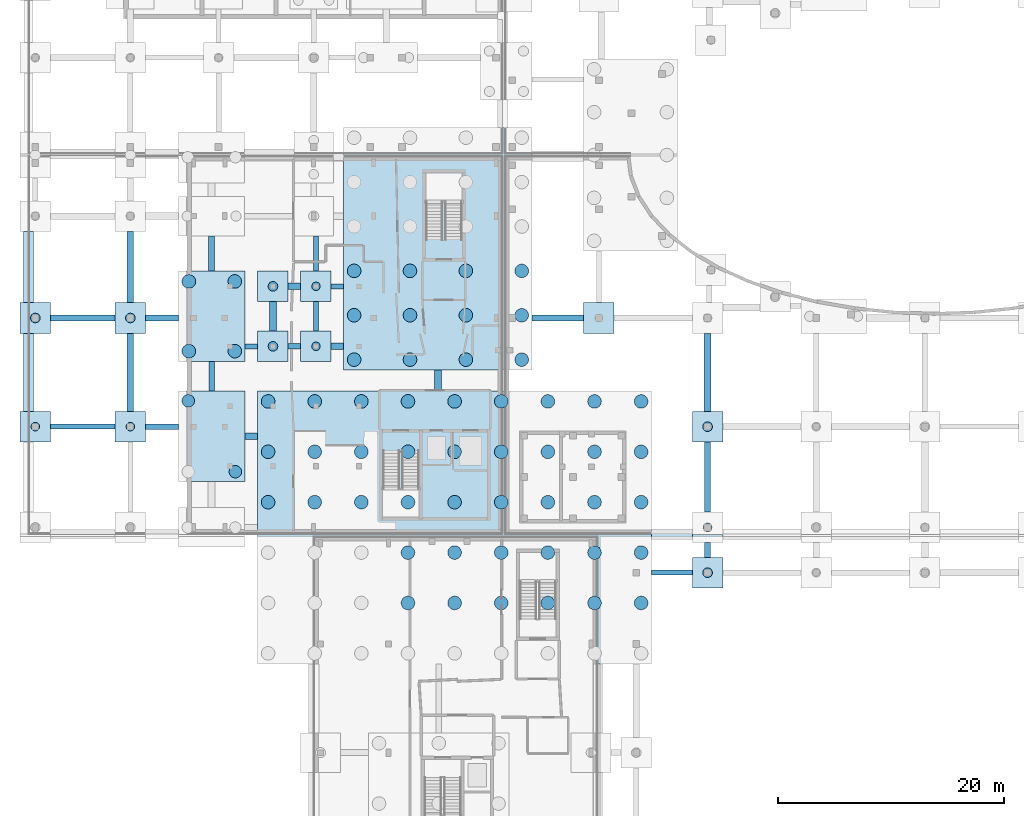
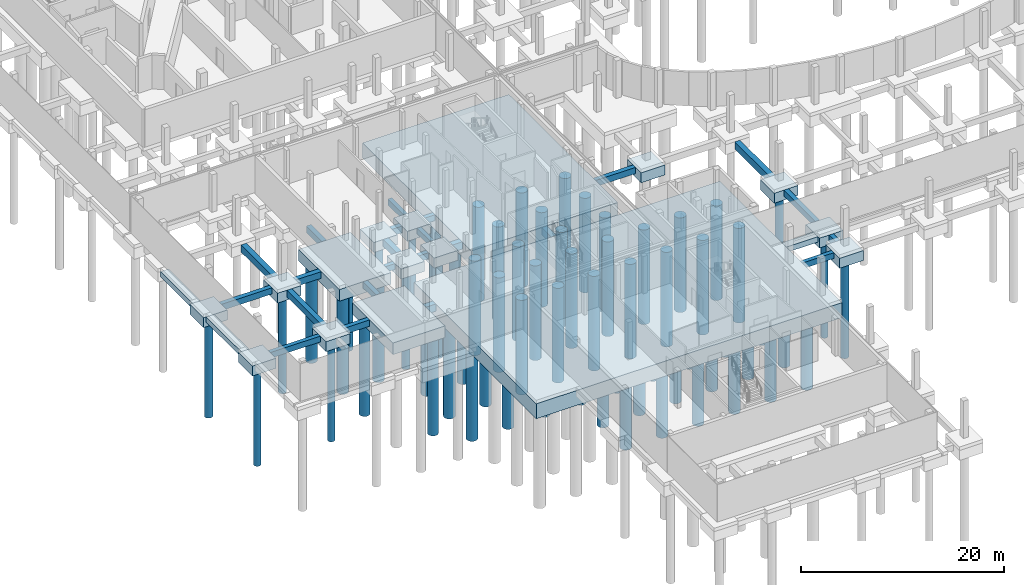
# One storey, part 2 of 40: 68 piles, 42 footings.
"""IFC4 building model written with IfcOpenShell, lengths in metres."""

from ifc_helpers import new_model, si_unit, direction, frame, origin, origin_2d, place, context, subcontext, project, spatial, polyline, circle, outline, extrude, material, material_profile, profile_set, type_object, element, save


model = new_model("IFC4")

# Units and contexts
model_context = context("Model", 3, precision=1e-05, world=origin(), true_north=direction((0.0, 1.0)))
body_context = subcontext(model_context, "Body", "Model", "MODEL_VIEW")
ifc_project = project(units=[si_unit("LENGTHUNIT", "METRE"), si_unit("AREAUNIT", "SQUARE_METRE"), si_unit("VOLUMEUNIT", "CUBIC_METRE"), si_unit("PLANEANGLEUNIT", "RADIAN"), si_unit("MASSUNIT", "GRAM", prefix="KILO")], contexts=[model_context])

# Site, building, storey
site_placement = place(None, origin())
site = spatial("IfcSite", under=ifc_project, at=site_placement, CompositionType="ELEMENT")
building_placement = place(site_placement, origin())
building = spatial("IfcBuilding", under=site, at=building_placement, Name="Mzevani Central Library", CompositionType="ELEMENT")
storey_placement = place(building_placement, frame((0.0, 0.0, -4.5)))
storey = spatial("IfcBuildingStorey", under=building, at=storey_placement, Name="B1", CompositionType="ELEMENT", Elevation=-4.5)

# Piles
ifc_material = material(Name="Concrete C40/50", Category="concrete")
ifc_material_profile_1 = material_profile(ifc_material, circle(Radius=0.550048828125, at=origin_2d()), Name="PILE D1100")
ifc_profile_set_1 = profile_set([ifc_material_profile_1], Name="Concrete C40/50")
pile_type_1 = type_object("IfcPileType", Name="Bored Pile D1100", PredefinedType="BORED", material=ifc_profile_set_1)
for number, where, z_axis, x_axis, name in (
    (1, (18.1201171875, 54.280029296875, -1.719970703125), (0.0, 0.0, -1.0), (1.0, 0.0, 0.0), "B1 Bored Pile P-05 (305)"),
    (2, (22.280029296875, 48.02001953125, -1.719970703125), (0.0, 0.0, -1.0), (1.0, 0.0, 0.0), "B1 Bored Pile P-05 (306)"),
):
    element("IfcPile", number, at=place(storey_placement, frame(where, z_axis=z_axis, x_axis=x_axis)), inside=storey, type_object=pile_type_1, Name=name, PredefinedType="BORED", context=body_context, shape_type="SweptSolid", body=[
        extrude(circle(Radius=0.550048828125, at=origin_2d()), origin(), (0.0, 0.0, 1.0), 11.780029296875),
    ])
ifc_material_profile_2 = material_profile(ifc_material, circle(Radius=0.60009765625, at=origin_2d()), Name="PILE D1200")
ifc_profile_set_2 = profile_set([ifc_material_profile_2], Name="Concrete C40/50")
pile_type_2 = type_object("IfcPileType", Name="Bored Pile D1200", PredefinedType="BORED", material=ifc_profile_set_2)
for number, where, z_axis, x_axis, name in (
    (3, (32.77001953125, 57.919921875, -2.1201171875), (0.0, 0.0, -1.0), (1.0, 0.0, 0.0), "B1 Bored Pile P-06 (1)"),
    (4, (32.77001953125, 61.842041015625, -2.1201171875), (0.0, 0.0, -1.0), (1.0, 0.0, 0.0), "B1 Bored Pile P-06 (2)"),
    (5, (32.77001953125, 65.763916015625, -2.1201171875), (0.0, 0.0, -1.0), (1.0, 0.0, 0.0), "B1 Bored Pile P-06 (3)"),
    (6, (37.706787109375, 57.919921875, -2.1201171875), (0.0, 0.0, -1.0), (1.0, 0.0, 0.0), "B1 Bored Pile P-06 (7)"),
    (7, (37.706787109375, 61.842041015625, -2.1201171875), (0.0, 0.0, -1.0), (1.0, 0.0, 0.0), "B1 Bored Pile P-06 (8)"),
    (8, (37.706787109375, 65.763916015625, -2.1201171875), (0.0, 0.0, -1.0), (1.0, 0.0, 0.0), "B1 Bored Pile P-06 (9)"),
    (9, (42.643310546875, 57.919921875, -2.1201171875), (0.0, 0.0, -1.0), (1.0, 0.0, 0.0), "B1 Bored Pile P-06 (13)"),
    (10, (42.643310546875, 61.842041015625, -2.1201171875), (0.0, 0.0, -1.0), (1.0, 0.0, 0.0), "B1 Bored Pile P-06 (14)"),
    (11, (42.643310546875, 65.763916015625, -2.1201171875), (0.0, 0.0, -1.0), (1.0, 0.0, 0.0), "B1 Bored Pile P-06 (15)"),
    (12, (47.580078125, 57.919921875, -2.1201171875), (0.0, 0.0, -1.0), (1.0, 0.0, 0.0), "B1 Bored Pile P-06 (19)"),
    (13, (47.580078125, 61.842041015625, -2.1201171875), (0.0, 0.0, -1.0), (1.0, 0.0, 0.0), "B1 Bored Pile P-06 (20)"),
    (14, (47.580078125, 65.763916015625, -2.1201171875), (0.0, 0.0, -1.0), (1.0, 0.0, 0.0), "B1 Bored Pile P-06 (21)"),
    (15, (25.169921875, 45.325927734375, -2.1201171875), (0.0, 0.0, -1.0), (1.0, 0.0, 0.0), "B1 Bored Pile P-06 (229)"),
    (16, (25.169921875, 49.778076171875, -2.1201171875), (0.0, 0.0, -1.0), (1.0, 0.0, 0.0), "B1 Bored Pile P-06 (230)"),
    (17, (25.169921875, 54.22998046875, -2.1201171875), (0.0, 0.0, -1.0), (1.0, 0.0, 0.0), "B1 Bored Pile P-06 (231)"),
    (18, (29.2900390625, 45.325927734375, -2.1201171875), (0.0, 0.0, -1.0), (1.0, 0.0, 0.0), "B1 Bored Pile P-06 (235)"),
    (19, (29.2900390625, 49.778076171875, -2.1201171875), (0.0, 0.0, -1.0), (1.0, 0.0, 0.0), "B1 Bored Pile P-06 (236)"),
    (20, (29.2900390625, 54.22998046875, -2.1201171875), (0.0, 0.0, -1.0), (1.0, 0.0, 0.0), "B1 Bored Pile P-06 (237)"),
    (21, (33.409912109375, 45.325927734375, -2.1201171875), (0.0, 0.0, -1.0), (1.0, 0.0, 0.0), "B1 Bored Pile P-06 (241)"),
    (22, (33.409912109375, 49.778076171875, -2.1201171875), (0.0, 0.0, -1.0), (1.0, 0.0, 0.0), "B1 Bored Pile P-06 (242)"),
    (23, (33.409912109375, 54.22998046875, -2.1201171875), (0.0, 0.0, -1.0), (1.0, 0.0, 0.0), "B1 Bored Pile P-06 (243)"),
    (24, (37.530029296875, 36.422119140625, -2.1201171875), (0.0, 0.0, -1.0), (1.0, 0.0, 0.0), "B1 Bored Pile P-06 (245)"),
    (25, (37.530029296875, 40.8740234375, -2.1201171875), (0.0, 0.0, -1.0), (1.0, 0.0, 0.0), "B1 Bored Pile P-06 (246)"),
    (26, (37.530029296875, 45.325927734375, -2.1201171875), (0.0, 0.0, -1.0), (1.0, 0.0, 0.0), "B1 Bored Pile P-06 (247)"),
    (27, (37.530029296875, 49.778076171875, -2.1201171875), (0.0, 0.0, -1.0), (1.0, 0.0, 0.0), "B1 Bored Pile P-06 (248)"),
    (28, (37.530029296875, 54.22998046875, -2.1201171875), (0.0, 0.0, -1.0), (1.0, 0.0, 0.0), "B1 Bored Pile P-06 (249)"),
    (29, (41.64990234375, 36.422119140625, -2.1201171875), (0.0, 0.0, -1.0), (1.0, 0.0, 0.0), "B1 Bored Pile P-06 (251)"),
    (30, (41.64990234375, 40.8740234375, -2.1201171875), (0.0, 0.0, -1.0), (1.0, 0.0, 0.0), "B1 Bored Pile P-06 (252)"),
    (31, (41.64990234375, 45.325927734375, -2.1201171875), (0.0, 0.0, -1.0), (1.0, 0.0, 0.0), "B1 Bored Pile P-06 (253)"),
    (32, (41.64990234375, 49.778076171875, -2.1201171875), (0.0, 0.0, -1.0), (1.0, 0.0, 0.0), "B1 Bored Pile P-06 (254)"),
    (33, (41.64990234375, 54.22998046875, -2.1201171875), (0.0, 0.0, -1.0), (1.0, 0.0, 0.0), "B1 Bored Pile P-06 (255)"),
    (34, (45.77001953125, 36.422119140625, -2.1201171875), (0.0, 0.0, -1.0), (1.0, 0.0, 0.0), "B1 Bored Pile P-06 (257)"),
    (35, (45.77001953125, 40.8740234375, -2.1201171875), (0.0, 0.0, -1.0), (1.0, 0.0, 0.0), "B1 Bored Pile P-06 (258)"),
    (36, (45.77001953125, 45.325927734375, -2.1201171875), (0.0, 0.0, -1.0), (1.0, 0.0, 0.0), "B1 Bored Pile P-06 (259)"),
    (37, (45.77001953125, 49.778076171875, -2.1201171875), (0.0, 0.0, -1.0), (1.0, 0.0, 0.0), "B1 Bored Pile P-06 (260)"),
    (38, (45.77001953125, 54.22998046875, -2.1201171875), (0.0, 0.0, -1.0), (1.0, 0.0, 0.0), "B1 Bored Pile P-06 (261)"),
    (39, (49.889892578125, 36.422119140625, -2.1201171875), (0.0, 0.0, -1.0), (1.0, 0.0, 0.0), "B1 Bored Pile P-06 (263)"),
    (40, (49.889892578125, 40.8740234375, -2.1201171875), (0.0, 0.0, -1.0), (1.0, 0.0, 0.0), "B1 Bored Pile P-06 (264)"),
    (41, (49.889892578125, 45.325927734375, -2.1201171875), (0.0, 0.0, -1.0), (1.0, 0.0, 0.0), "B1 Bored Pile P-06 (265)"),
    (42, (49.889892578125, 49.778076171875, -2.1201171875), (0.0, 0.0, -1.0), (1.0, 0.0, 0.0), "B1 Bored Pile P-06 (266)"),
    (43, (49.889892578125, 54.22998046875, -2.1201171875), (0.0, 0.0, -1.0), (1.0, 0.0, 0.0), "B1 Bored Pile P-06 (267)"),
    (44, (54.010009765625, 36.422119140625, -2.1201171875), (0.0, 0.0, -1.0), (1.0, 0.0, 0.0), "B1 Bored Pile P-06 (269)"),
    (45, (54.010009765625, 40.8740234375, -2.1201171875), (0.0, 0.0, -1.0), (1.0, 0.0, 0.0), "B1 Bored Pile P-06 (270)"),
    (46, (54.010009765625, 45.325927734375, -2.1201171875), (0.0, 0.0, -1.0), (1.0, 0.0, 0.0), "B1 Bored Pile P-06 (271)"),
    (47, (54.010009765625, 49.778076171875, -2.1201171875), (0.0, 0.0, -1.0), (1.0, 0.0, 0.0), "B1 Bored Pile P-06 (272)"),
    (48, (54.010009765625, 54.22998046875, -2.1201171875), (0.0, 0.0, -1.0), (1.0, 0.0, 0.0), "B1 Bored Pile P-06 (273)"),
    (49, (58.1298828125, 36.422119140625, -2.1201171875), (0.0, 0.0, -1.0), (1.0, 0.0, 0.0), "B1 Bored Pile P-06 (275)"),
    (50, (58.1298828125, 40.8740234375, -2.1201171875), (0.0, 0.0, -1.0), (1.0, 0.0, 0.0), "B1 Bored Pile P-06 (276)"),
    (51, (58.1298828125, 45.325927734375, -2.1201171875), (0.0, 0.0, -1.0), (1.0, 0.0, 0.0), "B1 Bored Pile P-06 (277)"),
    (52, (58.1298828125, 49.778076171875, -2.1201171875), (0.0, 0.0, -1.0), (1.0, 0.0, 0.0), "B1 Bored Pile P-06 (278)"),
    (53, (58.1298828125, 54.22998046875, -2.1201171875), (0.0, 0.0, -1.0), (1.0, 0.0, 0.0), "B1 Bored Pile P-06 (279)"),
):
    element("IfcPile", number, at=place(storey_placement, frame(where, z_axis=z_axis, x_axis=x_axis)), inside=storey, type_object=pile_type_2, Name=name, PredefinedType="BORED", context=body_context, shape_type="SweptSolid", body=[
        extrude(circle(Radius=0.60009765625, at=origin_2d()), origin(), (0.0, 0.0, 1.0), 11.3798828125),
    ])
for number, where, z_axis, x_axis, name in (
    (54, (18.169921875, 58.669921875, -1.719970703125), (0.0, 0.0, -1.0), (1.0, 0.0, 0.0), "B1 Bored Pile P-06 (307)"),
    (55, (18.169921875, 64.830078125, -1.719970703125), (0.0, 0.0, -1.0), (1.0, 0.0, 0.0), "B1 Bored Pile P-06 (308)"),
    (56, (22.22998046875, 58.669921875, -1.719970703125), (0.0, 0.0, -1.0), (1.0, 0.0, 0.0), "B1 Bored Pile P-06 (309)"),
    (57, (22.22998046875, 64.830078125, -1.719970703125), (0.0, 0.0, -1.0), (1.0, 0.0, 0.0), "B1 Bored Pile P-06 (310)"),
):
    element("IfcPile", number, at=place(storey_placement, frame(where, z_axis=z_axis, x_axis=x_axis)), inside=storey, type_object=pile_type_2, Name=name, PredefinedType="BORED", context=body_context, shape_type="SweptSolid", body=[
        extrude(circle(Radius=0.60009765625, at=origin_2d()), origin(), (0.0, 0.0, 1.0), 11.780029296875),
    ])
ifc_material_profile_3 = material_profile(ifc_material, circle(Radius=0.375, at=origin_2d()), Name="PILE D750")
ifc_profile_set_3 = profile_set([ifc_material_profile_3], Name="Concrete C40/50")
pile_type_3 = type_object("IfcPileType", Name="Bored Pile D750", PredefinedType="BORED", material=ifc_profile_set_3)
for number, where, z_axis, x_axis, name in (
    (58, (64.0, 43.10009765625, -1.52001953125), (0.0, 0.0, -1.0), (1.0, 0.0, 0.0), "B1 Bored Pile P-01 (36)"),
    (59, (4.60009765625, 52.0, -1.52001953125), (0.0, 0.0, -1.0), (1.0, 0.0, 0.0), "B1 Bored Pile P-01 (295)"),
    (60, (13.0, 52.0, -1.52001953125), (0.0, 0.0, -1.0), (1.0, 0.0, 0.0), "B1 Bored Pile P-01 (299)"),
    (61, (29.39990234375, 59.10009765625, -1.52001953125), (0.0, 0.0, -1.0), (1.0, 0.0, 0.0), "B1 Bored Pile P-01 (374)"),
    (62, (29.39990234375, 64.39990234375, -1.52001953125), (0.0, 0.0, -1.0), (1.0, 0.0, 0.0), "B1 Bored Pile P-01 (376)"),
):
    element("IfcPile", number, at=place(storey_placement, frame(where, z_axis=z_axis, x_axis=x_axis)), inside=storey, type_object=pile_type_3, Name=name, PredefinedType="BORED", context=body_context, shape_type="SweptSolid", body=[
        extrude(circle(Radius=0.375, at=origin_2d()), origin(), (0.0, 0.0, 1.0), 11.97998046875),
    ])
ifc_material_profile_4 = material_profile(ifc_material, circle(Radius=0.425048828125, at=origin_2d()), Name="PILE D850")
ifc_profile_set_4 = profile_set([ifc_material_profile_4], Name="Concrete C40/50")
pile_type_4 = type_object("IfcPileType", Name="Bored Pile D850", PredefinedType="BORED", material=ifc_profile_set_4)
for number, where, z_axis, x_axis, name in (
    (63, (64.0, 52.0, -1.52001953125), (0.0, 0.0, -1.0), (1.0, 0.0, 0.0), "B1 Bored Pile P-02 (37)"),
    (64, (4.60009765625, 61.60009765625, -1.52001953125), (0.0, 0.0, -1.0), (1.0, 0.0, 0.0), "B1 Bored Pile P-02 (296)"),
    (65, (13.0, 61.60009765625, -1.52001953125), (0.0, 0.0, -1.0), (1.0, 0.0, 0.0), "B1 Bored Pile P-02 (300)"),
    (66, (64.0, 39.10009765625, -1.52001953125), (0.0, 0.0, -1.0), (1.0, 0.0, 0.0), "B1 Bored Pile P-02 (347)"),
    (67, (25.60009765625, 59.10009765625, -1.52001953125), (0.0, 0.0, -1.0), (1.0, 0.0, 0.0), "B1 Bored Pile P-02 (373)"),
    (68, (25.60009765625, 64.39990234375, -1.52001953125), (0.0, 0.0, -1.0), (1.0, 0.0, 0.0), "B1 Bored Pile P-02 (375)"),
):
    element("IfcPile", number, at=place(storey_placement, frame(where, z_axis=z_axis, x_axis=x_axis)), inside=storey, type_object=pile_type_4, Name=name, PredefinedType="BORED", context=body_context, shape_type="SweptSolid", body=[
        extrude(circle(Radius=0.425048828125, at=origin_2d()), origin(), (0.0, 0.0, 1.0), 11.97998046875),
    ])

# Footings
footing_type_1 = type_object("IfcFootingType", Name="Ground Tie Beam RC 450x700", PredefinedType="FOOTING_BEAM", material=ifc_material)
footing_1_placement = place(storey_placement, frame((0.0, 0.0, -1.1201171875)))
element("IfcFooting", 69, at=footing_1_placement, inside=storey, type_object=footing_type_1, Name="MAT Ground Tie Beam GB-01 (1)", PredefinedType="FOOTING_BEAM", context=body_context, shape_type="SweptSolid", body=[
    extrude(outline(polyline([(5.949951171875, 51.77490234375), (11.64990234375, 51.77490234375), (11.64990234375, 52.22509765625), (5.949951171875, 52.22509765625), (5.949951171875, 51.77490234375)])), origin(), (0.0, 0.0, 1.0), 0.7001953125),
])
footing_2_placement = place(storey_placement, frame((0.0, 0.0, -1.1201171875)))
element("IfcFooting", 70, at=footing_2_placement, inside=storey, type_object=footing_type_1, Name="MAT Ground Tie Beam GB-01 (17)", PredefinedType="FOOTING_BEAM", context=body_context, shape_type="SweptSolid", body=[
    extrude(outline(polyline([(23.14990234375, 58.875), (24.25, 58.875), (24.25, 59.324951171875), (23.14990234375, 59.324951171875), (23.14990234375, 58.875)])), origin(), (0.0, 0.0, 1.0), 0.7001953125),
])
footing_3_placement = place(storey_placement, frame((0.0, 0.0, -1.1201171875)))
element("IfcFooting", 71, at=footing_3_placement, inside=storey, type_object=footing_type_1, Name="MAT Ground Tie Beam GB-01 (21)", PredefinedType="FOOTING_BEAM", context=body_context, shape_type="SweptSolid", body=[
    extrude(outline(polyline([(59.050048828125, 38.875), (62.64990234375, 38.875), (62.64990234375, 39.324951171875), (59.050048828125, 39.324951171875), (59.050048828125, 38.875)])), origin(), (0.0, 0.0, 1.0), 0.7001953125),
])
footing_4_placement = place(storey_placement, frame((0.0, 0.0, -1.1201171875)))
element("IfcFooting", 72, at=footing_4_placement, inside=storey, type_object=footing_type_1, Name="MAT Ground Tie Beam GB-01 (33)", PredefinedType="FOOTING_BEAM", context=body_context, shape_type="SweptSolid", body=[
    extrude(outline(polyline([(30.75, 64.175048828125), (31.85009765625, 64.175048828125), (31.85009765625, 64.625), (30.75, 64.625), (30.75, 64.175048828125)])), origin(), (0.0, 0.0, 1.0), 0.7001953125),
])
footing_5_placement = place(storey_placement, frame((0.0, 0.0, -1.1201171875)))
element("IfcFooting", 73, at=footing_5_placement, inside=storey, type_object=footing_type_1, Name="MAT Ground Tie Beam GB-01 (169)", PredefinedType="FOOTING_BEAM", context=body_context, shape_type="SweptSolid", body=[
    extrude(outline(polyline([(29.175048828125, 60.449951171875), (29.625, 60.449951171875), (29.625, 63.050048828125), (29.175048828125, 63.050048828125), (29.175048828125, 60.449951171875)])), origin(), (0.0, 0.0, 1.0), 0.7001953125),
])
footing_6_placement = place(storey_placement, frame((0.0, 0.0, -1.1201171875)))
element("IfcFooting", 74, at=footing_6_placement, inside=storey, type_object=footing_type_1, Name="MAT Ground Tie Beam GB-01 (177)", PredefinedType="FOOTING_BEAM", context=body_context, shape_type="SweptSolid", body=[
    extrude(outline(polyline([(29.175048828125, 65.75), (29.625, 65.75), (29.625, 68.85009765625), (29.175048828125, 68.85009765625), (29.175048828125, 65.75)])), origin(), (0.0, 0.0, 1.0), 0.7001953125),
])
footing_type_2 = type_object("IfcFootingType", Name="Ground Tie Beam RC 500x750", PredefinedType="FOOTING_BEAM", material=ifc_material)
footing_7_placement = place(storey_placement, frame((0.0, 0.0, -1.169921875)))
element("IfcFooting", 75, at=footing_7_placement, inside=storey, type_object=footing_type_2, Name="MAT Ground Tie Beam GB-02 (2)", PredefinedType="FOOTING_BEAM", context=body_context, shape_type="SweptSolid", body=[
    extrude(outline(polyline([(5.949951171875, 61.35009765625), (11.64990234375, 61.35009765625), (11.64990234375, 61.85009765625), (5.949951171875, 61.85009765625), (5.949951171875, 61.35009765625)])), origin(), (0.0, 0.0, 1.0), 0.75),
])
footing_8_placement = place(storey_placement, frame((0.0, 0.0, -1.169921875)))
element("IfcFooting", 76, at=footing_8_placement, inside=storey, type_object=footing_type_2, Name="MAT Ground Tie Beam GB-02 (10)", PredefinedType="FOOTING_BEAM", context=body_context, shape_type="SweptSolid", body=[
    extrude(outline(polyline([(14.35009765625, 51.75), (17.25, 51.75), (17.25, 52.25), (14.35009765625, 52.25), (14.35009765625, 51.75)])), origin(), (0.0, 0.0, 1.0), 0.75),
])
footing_9_placement = place(storey_placement, frame((0.0, 0.0, -1.169921875)))
element("IfcFooting", 77, at=footing_9_placement, inside=storey, type_object=footing_type_2, Name="MAT Ground Tie Beam GB-02 (22)", PredefinedType="FOOTING_BEAM", context=body_context, shape_type="SweptSolid", body=[
    extrude(outline(polyline([(26.949951171875, 58.85009765625), (28.050048828125, 58.85009765625), (28.050048828125, 59.35009765625), (26.949951171875, 59.35009765625), (26.949951171875, 58.85009765625)])), origin(), (0.0, 0.0, 1.0), 0.75),
])
footing_10_placement = place(storey_placement, frame((0.0, 0.0, -1.169921875)))
element("IfcFooting", 78, at=footing_10_placement, inside=storey, type_object=footing_type_2, Name="MAT Ground Tie Beam GB-02 (34)", PredefinedType="FOOTING_BEAM", context=body_context, shape_type="SweptSolid", body=[
    extrude(outline(polyline([(48.5, 61.35009765625), (53.050048828125, 61.35009765625), (53.050048828125, 61.85009765625), (48.5, 61.85009765625), (48.5, 61.35009765625)])), origin(), (0.0, 0.0, 1.0), 0.75),
])
footing_11_placement = place(storey_placement, frame((0.0, 0.0, -1.169921875)))
element("IfcFooting", 79, at=footing_11_placement, inside=storey, type_object=footing_type_2, Name="MAT Ground Tie Beam GB-02 (142)", PredefinedType="FOOTING_BEAM", context=body_context, shape_type="SweptSolid", body=[
    extrude(outline(polyline([(63.75, 40.449951171875), (64.25, 40.449951171875), (64.25, 41.75), (63.75, 41.75), (63.75, 40.449951171875)])), origin(), (0.0, 0.0, 1.0), 0.75),
])
footing_12_placement = place(storey_placement, frame((0.0, 0.0, -1.169921875)))
element("IfcFooting", 80, at=footing_12_placement, inside=storey, type_object=footing_type_2, Name="MAT Ground Tie Beam GB-02 (150)", PredefinedType="FOOTING_BEAM", context=body_context, shape_type="SweptSolid", body=[
    extrude(outline(polyline([(63.75, 44.449951171875), (64.25, 44.449951171875), (64.25, 50.64990234375), (63.75, 50.64990234375), (63.75, 44.449951171875)])), origin(), (0.0, 0.0, 1.0), 0.75),
])
footing_13_placement = place(storey_placement, frame((0.0, 0.0, -1.169921875)))
element("IfcFooting", 81, at=footing_13_placement, inside=storey, type_object=footing_type_2, Name="MAT Ground Tie Beam GB-02 (158)", PredefinedType="FOOTING_BEAM", context=body_context, shape_type="SweptSolid", body=[
    extrude(outline(polyline([(19.949951171875, 55.14990234375), (20.449951171875, 55.14990234375), (20.449951171875, 57.75), (19.949951171875, 57.75), (19.949951171875, 55.14990234375)])), origin(), (0.0, 0.0, 1.0), 0.75),
])
footing_type_3 = type_object("IfcFootingType", Name="Ground Tie Beam RC 550x800", PredefinedType="FOOTING_BEAM", material=ifc_material)
footing_14_placement = place(storey_placement, frame((0.0, 0.0, -1.219970703125)))
element("IfcFooting", 82, at=footing_14_placement, inside=storey, type_object=footing_type_3, Name="MAT Ground Tie Beam GB-03 (11)", PredefinedType="FOOTING_BEAM", context=body_context, shape_type="SweptSolid", body=[
    extrude(outline(polyline([(14.35009765625, 61.324951171875), (17.25, 61.324951171875), (17.25, 61.875), (14.35009765625, 61.875), (14.35009765625, 61.324951171875)])), origin(), (0.0, 0.0, 1.0), 0.800048828125),
])
footing_15_placement = place(storey_placement, frame((0.0, 0.0, -1.219970703125)))
element("IfcFooting", 83, at=footing_15_placement, inside=storey, type_object=footing_type_3, Name="MAT Ground Tie Beam GB-03 (23)", PredefinedType="FOOTING_BEAM", context=body_context, shape_type="SweptSolid", body=[
    extrude(outline(polyline([(26.949951171875, 64.125), (28.050048828125, 64.125), (28.050048828125, 64.675048828125), (26.949951171875, 64.675048828125), (26.949951171875, 64.125)])), origin(), (0.0, 0.0, 1.0), 0.800048828125),
])
footing_16_placement = place(storey_placement, frame((0.0, 0.0, -1.219970703125)))
element("IfcFooting", 84, at=footing_16_placement, inside=storey, type_object=footing_type_3, Name="MAT Ground Tie Beam GB-03 (159)", PredefinedType="FOOTING_BEAM", context=body_context, shape_type="SweptSolid", body=[
    extrude(outline(polyline([(12.72509765625, 53.35009765625), (13.27490234375, 53.35009765625), (13.27490234375, 60.25), (12.72509765625, 60.25), (12.72509765625, 53.35009765625)])), origin(), (0.0, 0.0, 1.0), 0.800048828125),
])
footing_17_placement = place(storey_placement, frame((0.0, 0.0, -1.219970703125)))
element("IfcFooting", 85, at=footing_17_placement, inside=storey, type_object=footing_type_3, Name="MAT Ground Tie Beam GB-03 (167)", PredefinedType="FOOTING_BEAM", context=body_context, shape_type="SweptSolid", body=[
    extrude(outline(polyline([(19.89990234375, 65.75), (20.449951171875, 65.75), (20.449951171875, 68.85009765625), (19.89990234375, 68.85009765625), (19.89990234375, 65.75)])), origin(), (0.0, 0.0, 1.0), 0.800048828125),
])
footing_type_4 = type_object("IfcFootingType", Name="Ground Tie Beam RC 600x850", PredefinedType="FOOTING_BEAM", material=ifc_material)
footing_18_placement = place(storey_placement, frame((0.0, 0.0, -1.27001953125)))
element("IfcFooting", 86, at=footing_18_placement, inside=storey, type_object=footing_type_4, Name="MAT Ground Tie Beam GB-04 (16)", PredefinedType="FOOTING_BEAM", context=body_context, shape_type="SweptSolid", body=[
    extrude(outline(polyline([(23.14990234375, 50.85009765625), (24.25, 50.85009765625), (24.25, 51.449951171875), (23.14990234375, 51.449951171875), (23.14990234375, 50.85009765625)])), origin(), (0.0, 0.0, 1.0), 0.85009765625),
])
footing_19_placement = place(storey_placement, frame((0.0, 0.0, -1.27001953125)))
element("IfcFooting", 87, at=footing_19_placement, inside=storey, type_object=footing_type_4, Name="MAT Ground Tie Beam GB-04 (32)", PredefinedType="FOOTING_BEAM", context=body_context, shape_type="SweptSolid", body=[
    extrude(outline(polyline([(30.75, 58.800048828125), (31.85009765625, 58.800048828125), (31.85009765625, 59.39990234375), (30.75, 59.39990234375), (30.75, 58.800048828125)])), origin(), (0.0, 0.0, 1.0), 0.85009765625),
])
footing_20_placement = place(storey_placement, frame((0.0, 0.0, -1.27001953125)))
element("IfcFooting", 88, at=footing_20_placement, inside=storey, type_object=footing_type_4, Name="MAT Ground Tie Beam GB-04 (136)", PredefinedType="FOOTING_BEAM", context=body_context, shape_type="SweptSolid", body=[
    extrude(outline(polyline([(39.875, 55.14990234375), (40.47509765625, 55.14990234375), (40.47509765625, 57.0), (39.875, 57.0), (39.875, 55.14990234375)])), origin(), (0.0, 0.0, 1.0), 0.85009765625),
])
footing_21_placement = place(storey_placement, frame((0.0, 0.0, -1.27001953125)))
element("IfcFooting", 89, at=footing_21_placement, inside=storey, type_object=footing_type_4, Name="MAT Ground Tie Beam GB-04 (160)", PredefinedType="FOOTING_BEAM", context=body_context, shape_type="SweptSolid", body=[
    extrude(outline(polyline([(63.699951171875, 53.35009765625), (64.300048828125, 53.35009765625), (64.300048828125, 60.25), (63.699951171875, 60.25), (63.699951171875, 53.35009765625)])), origin(), (0.0, 0.0, 1.0), 0.85009765625),
])
footing_22_placement = place(storey_placement, frame((0.0, 0.0, -1.27001953125)))
element("IfcFooting", 90, at=footing_22_placement, inside=storey, type_object=footing_type_4, Name="MAT Ground Tie Beam GB-04 (168)", PredefinedType="FOOTING_BEAM", context=body_context, shape_type="SweptSolid", body=[
    extrude(outline(polyline([(25.300048828125, 60.449951171875), (25.89990234375, 60.449951171875), (25.89990234375, 63.050048828125), (25.300048828125, 63.050048828125), (25.300048828125, 60.449951171875)])), origin(), (0.0, 0.0, 1.0), 0.85009765625),
])
footing_23_placement = place(storey_placement, frame((0.0, 0.0, -1.27001953125)))
element("IfcFooting", 91, at=footing_23_placement, inside=storey, type_object=footing_type_4, Name="MAT Ground Tie Beam GB-04 (172)", PredefinedType="FOOTING_BEAM", context=body_context, shape_type="SweptSolid", body=[
    extrude(outline(polyline([(12.699951171875, 62.949951171875), (13.300048828125, 62.949951171875), (13.300048828125, 69.25), (12.699951171875, 69.25), (12.699951171875, 62.949951171875)])), origin(), (0.0, 0.0, 1.0), 0.85009765625),
])
footing_type_5 = type_object("IfcFootingType", Name="Perimeter Strip Footing RC 900x650", PredefinedType="STRIP_FOOTING", material=ifc_material)
footing_24_placement = place(storey_placement, frame((0.0, 0.0, -1.070068359375)))
element("IfcFooting", 92, at=footing_24_placement, inside=storey, type_object=footing_type_5, Name="B1 Perimeter Strip Footing SF-02 (4)", PredefinedType="STRIP_FOOTING", context=body_context, shape_type="SweptSolid", body=[
    extrude(outline(polyline([(62.64990234375, 42.050048828125), (59.050048828125, 42.050048828125), (59.050048828125, 42.949951171875), (62.64990234375, 42.949951171875), (62.64990234375, 42.050048828125)])), origin(), (0.0, 0.0, 1.0), 0.650146484375),
])
footing_25_placement = place(storey_placement, frame((0.0, 0.0, -1.070068359375)))
element("IfcFooting", 93, at=footing_25_placement, inside=storey, type_object=footing_type_5, Name="B1 Perimeter Strip Footing SF-02 (55)", PredefinedType="STRIP_FOOTING", context=body_context, shape_type="SweptSolid", body=[
    extrude(outline(polyline([(4.449951171875, 60.25), (4.449951171875, 53.35009765625), (3.550048828125, 53.35009765625), (3.550048828125, 60.25), (4.449951171875, 60.25)])), origin(), (0.0, 0.0, 1.0), 0.650146484375),
])
footing_26_placement = place(storey_placement, frame((0.0, 0.0, -1.070068359375)))
element("IfcFooting", 94, at=footing_26_placement, inside=storey, type_object=footing_type_5, Name="B1 Perimeter Strip Footing SF-02 (56)", PredefinedType="STRIP_FOOTING", context=body_context, shape_type="SweptSolid", body=[
    extrude(outline(polyline([(4.449951171875, 69.25), (4.449951171875, 62.949951171875), (3.550048828125, 62.949951171875), (3.550048828125, 69.25), (4.449951171875, 69.25)])), origin(), (0.0, 0.0, 1.0), 0.650146484375),
])
footing_type_6 = type_object("IfcFootingType", Name="Pile Cap RC 21450x16650x1800", PredefinedType="PILE_CAP", material=ifc_material)
footing_27_placement = place(storey_placement, frame((0.0, 0.0, -2.219970703125)))
element("IfcFooting", 95, at=footing_27_placement, inside=storey, type_object=footing_type_6, Name="B1 Pile Cap PC-01 (1)", PredefinedType="PILE_CAP", context=body_context, shape_type="SweptSolid", body=[
    extrude(outline(polyline([(31.85009765625, 57.0), (48.5, 57.0), (48.5, 78.449951171875), (31.85009765625, 78.449951171875), (31.85009765625, 57.0)])), origin(), (0.0, 0.0, 1.0), 1.800048828125),
])
footing_type_7 = type_object("IfcFootingType", Name="Pile Cap RC 2700x2700x1200", PredefinedType="PILE_CAP", material=ifc_material)
footing_28_placement = place(storey_placement, frame((0.0, 0.0, -1.6201171875)))
element("IfcFooting", 96, at=footing_28_placement, inside=storey, type_object=footing_type_7, Name="B1 Pile Cap PC-02 (2)", PredefinedType="PILE_CAP", context=body_context, shape_type="SweptSolid", body=[
    extrude(outline(polyline([(53.050048828125, 60.25), (55.75, 60.25), (55.75, 62.949951171875), (53.050048828125, 62.949951171875), (53.050048828125, 60.25)])), origin(), (0.0, 0.0, 1.0), 1.2001953125),
])
footing_29_placement = place(storey_placement, frame((0.0, 0.0, -1.6201171875)))
element("IfcFooting", 97, at=footing_29_placement, inside=storey, type_object=footing_type_7, Name="B1 Pile Cap PC-02 (4)", PredefinedType="PILE_CAP", context=body_context, shape_type="SweptSolid", body=[
    extrude(outline(polyline([(62.64990234375, 41.75), (65.35009765625, 41.75), (65.35009765625, 44.449951171875), (62.64990234375, 44.449951171875), (62.64990234375, 41.75)])), origin(), (0.0, 0.0, 1.0), 1.2001953125),
])
footing_30_placement = place(storey_placement, frame((0.0, 0.0, -1.6201171875)))
element("IfcFooting", 98, at=footing_30_placement, inside=storey, type_object=footing_type_7, Name="B1 Pile Cap PC-02 (5)", PredefinedType="PILE_CAP", context=body_context, shape_type="SweptSolid", body=[
    extrude(outline(polyline([(62.64990234375, 50.64990234375), (65.35009765625, 50.64990234375), (65.35009765625, 53.35009765625), (62.64990234375, 53.35009765625), (62.64990234375, 50.64990234375)])), origin(), (0.0, 0.0, 1.0), 1.2001953125),
])
footing_31_placement = place(storey_placement, frame((0.0, 0.0, -1.6201171875)))
element("IfcFooting", 99, at=footing_31_placement, inside=storey, type_object=footing_type_7, Name="B1 Pile Cap PC-02 (118)", PredefinedType="PILE_CAP", context=body_context, shape_type="SweptSolid", body=[
    extrude(outline(polyline([(3.25, 50.64990234375), (5.949951171875, 50.64990234375), (5.949951171875, 53.35009765625), (3.25, 53.35009765625), (3.25, 50.64990234375)])), origin(), (0.0, 0.0, 1.0), 1.2001953125),
])
footing_32_placement = place(storey_placement, frame((0.0, 0.0, -1.6201171875)))
element("IfcFooting", 100, at=footing_32_placement, inside=storey, type_object=footing_type_7, Name="B1 Pile Cap PC-02 (119)", PredefinedType="PILE_CAP", context=body_context, shape_type="SweptSolid", body=[
    extrude(outline(polyline([(3.25, 60.25), (5.949951171875, 60.25), (5.949951171875, 62.949951171875), (3.25, 62.949951171875), (3.25, 60.25)])), origin(), (0.0, 0.0, 1.0), 1.2001953125),
])
footing_33_placement = place(storey_placement, frame((0.0, 0.0, -1.6201171875)))
element("IfcFooting", 101, at=footing_33_placement, inside=storey, type_object=footing_type_7, Name="B1 Pile Cap PC-02 (122)", PredefinedType="PILE_CAP", context=body_context, shape_type="SweptSolid", body=[
    extrude(outline(polyline([(11.64990234375, 50.64990234375), (14.35009765625, 50.64990234375), (14.35009765625, 53.35009765625), (11.64990234375, 53.35009765625), (11.64990234375, 50.64990234375)])), origin(), (0.0, 0.0, 1.0), 1.2001953125),
])
footing_34_placement = place(storey_placement, frame((0.0, 0.0, -1.6201171875)))
element("IfcFooting", 102, at=footing_34_placement, inside=storey, type_object=footing_type_7, Name="B1 Pile Cap PC-02 (123)", PredefinedType="PILE_CAP", context=body_context, shape_type="SweptSolid", body=[
    extrude(outline(polyline([(11.64990234375, 60.25), (14.35009765625, 60.25), (14.35009765625, 62.949951171875), (11.64990234375, 62.949951171875), (11.64990234375, 60.25)])), origin(), (0.0, 0.0, 1.0), 1.2001953125),
])
footing_35_placement = place(storey_placement, frame((0.0, 0.0, -1.6201171875)))
element("IfcFooting", 103, at=footing_35_placement, inside=storey, type_object=footing_type_7, Name="B1 Pile Cap PC-02 (159)", PredefinedType="PILE_CAP", context=body_context, shape_type="SweptSolid", body=[
    extrude(outline(polyline([(62.64990234375, 37.75), (65.35009765625, 37.75), (65.35009765625, 40.449951171875), (62.64990234375, 40.449951171875), (62.64990234375, 37.75)])), origin(), (0.0, 0.0, 1.0), 1.2001953125),
])
footing_36_placement = place(storey_placement, frame((0.0, 0.0, -1.6201171875)))
element("IfcFooting", 104, at=footing_36_placement, inside=storey, type_object=footing_type_7, Name="B1 Pile Cap PC-02 (171)", PredefinedType="PILE_CAP", context=body_context, shape_type="SweptSolid", body=[
    extrude(outline(polyline([(24.25, 57.75), (26.949951171875, 57.75), (26.949951171875, 60.449951171875), (24.25, 60.449951171875), (24.25, 57.75)])), origin(), (0.0, 0.0, 1.0), 1.2001953125),
])
footing_37_placement = place(storey_placement, frame((0.0, 0.0, -1.6201171875)))
element("IfcFooting", 105, at=footing_37_placement, inside=storey, type_object=footing_type_7, Name="B1 Pile Cap PC-02 (172)", PredefinedType="PILE_CAP", context=body_context, shape_type="SweptSolid", body=[
    extrude(outline(polyline([(28.050048828125, 57.75), (30.75, 57.75), (30.75, 60.449951171875), (28.050048828125, 60.449951171875), (28.050048828125, 57.75)])), origin(), (0.0, 0.0, 1.0), 1.2001953125),
])
footing_38_placement = place(storey_placement, frame((0.0, 0.0, -1.6201171875)))
element("IfcFooting", 106, at=footing_38_placement, inside=storey, type_object=footing_type_7, Name="B1 Pile Cap PC-02 (173)", PredefinedType="PILE_CAP", context=body_context, shape_type="SweptSolid", body=[
    extrude(outline(polyline([(24.25, 63.050048828125), (26.949951171875, 63.050048828125), (26.949951171875, 65.75), (24.25, 65.75), (24.25, 63.050048828125)])), origin(), (0.0, 0.0, 1.0), 1.2001953125),
])
footing_39_placement = place(storey_placement, frame((0.0, 0.0, -1.6201171875)))
element("IfcFooting", 107, at=footing_39_placement, inside=storey, type_object=footing_type_7, Name="B1 Pile Cap PC-02 (174)", PredefinedType="PILE_CAP", context=body_context, shape_type="SweptSolid", body=[
    extrude(outline(polyline([(28.050048828125, 63.050048828125), (30.75, 63.050048828125), (30.75, 65.75), (28.050048828125, 65.75), (28.050048828125, 63.050048828125)])), origin(), (0.0, 0.0, 1.0), 1.2001953125),
])
footing_type_8 = type_object("IfcFootingType", Name="Pile Cap RC 34800x24100x1800", PredefinedType="PILE_CAP", material=ifc_material)
footing_40_placement = place(storey_placement, frame((0.0, 0.0, -2.219970703125)))
element("IfcFooting", 108, at=footing_40_placement, inside=storey, type_object=footing_type_8, Name="B1 Pile Cap PC-34 (110)", PredefinedType="PILE_CAP", context=body_context, shape_type="SweptSolid", body=[
    extrude(outline(polyline([(24.25, 31.050048828125), (59.050048828125, 31.050048828125), (59.050048828125, 55.14990234375), (24.25, 55.14990234375), (24.25, 31.050048828125)])), origin(), (0.0, 0.0, 1.0), 1.800048828125),
])
footing_type_9 = type_object("IfcFootingType", Name="Pile Cap RC 8000x5900x1400", PredefinedType="PILE_CAP", material=ifc_material)
footing_41_placement = place(storey_placement, frame((0.0, 0.0, -1.820068359375)))
element("IfcFooting", 109, at=footing_41_placement, inside=storey, type_object=footing_type_9, Name="B1 Pile Cap PC-37 (126)", PredefinedType="PILE_CAP", context=body_context, shape_type="SweptSolid", body=[
    extrude(outline(polyline([(17.25, 47.14990234375), (23.14990234375, 47.14990234375), (23.14990234375, 55.14990234375), (17.25, 55.14990234375), (17.25, 47.14990234375)])), origin(), (0.0, 0.0, 1.0), 1.400146484375),
])
footing_42_placement = place(storey_placement, frame((0.0, 0.0, -1.820068359375)))
element("IfcFooting", 110, at=footing_42_placement, inside=storey, type_object=footing_type_9, Name="B1 Pile Cap PC-37 (127)", PredefinedType="PILE_CAP", context=body_context, shape_type="SweptSolid", body=[
    extrude(outline(polyline([(17.25, 57.75), (23.14990234375, 57.75), (23.14990234375, 65.75), (17.25, 65.75), (17.25, 57.75)])), origin(), (0.0, 0.0, 1.0), 1.400146484375),
])

save(model, "model.ifc")
